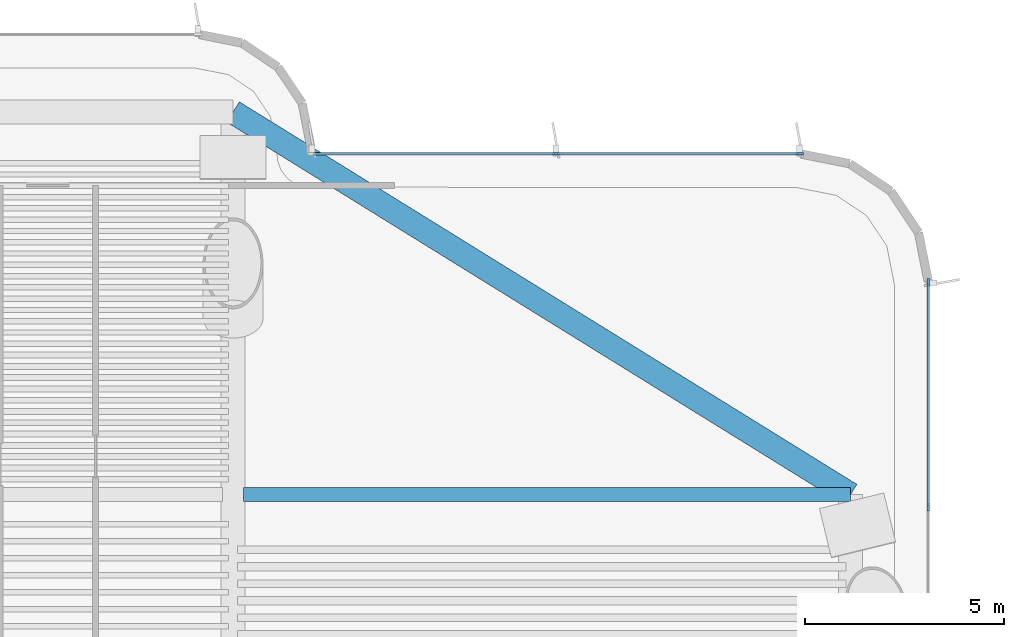
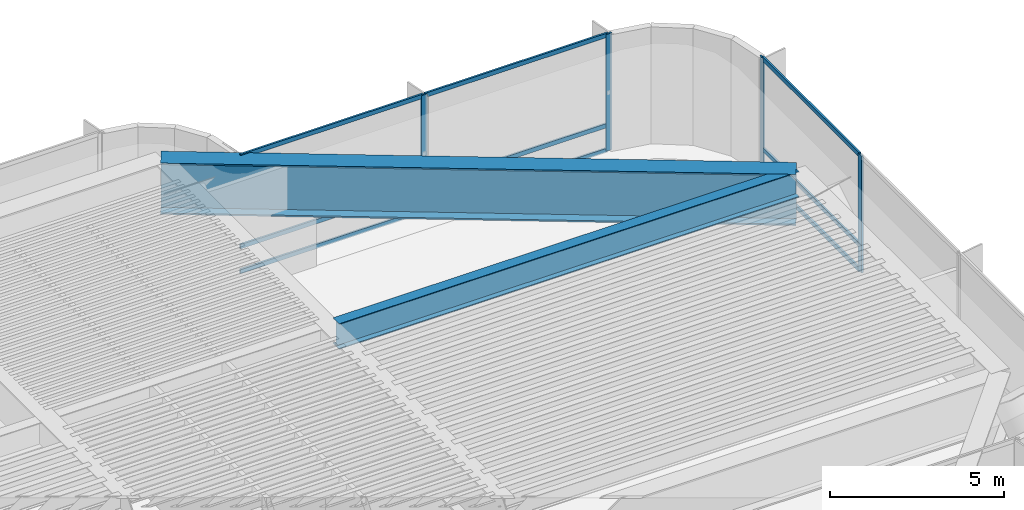
# One storey, part 6 of 14: 13 members, 2 beams, 2 elements without a shape of their own.
"""IFC4 building model written with IfcOpenShell, lengths in metres."""

from ifc_helpers import new_model, si_unit, direction, frame, origin, origin_2d, place, context, subcontext, project, spatial, rectangle, i_section, extrude, source, transform, mapped, material, layer, layer_set, material_profile, profile_set, type_object, element, aggregate, save


model = new_model("IFC4")

# Units and contexts
model_context = context("Model", 3, precision=1e-05, world=origin(), true_north=direction((0.0, 1.0)))
body_context = subcontext(model_context, "Body", "Model", "MODEL_VIEW")
ifc_project = project(units=[si_unit("LENGTHUNIT", "METRE"), si_unit("AREAUNIT", "SQUARE_METRE"), si_unit("VOLUMEUNIT", "CUBIC_METRE"), si_unit("PLANEANGLEUNIT", "RADIAN"), si_unit("MASSUNIT", "GRAM", prefix="KILO")], contexts=[model_context])

# Site, building, storey
site_placement = place(None, origin())
site = spatial("IfcSite", under=ifc_project, at=site_placement, CompositionType="ELEMENT")
building_placement = place(site_placement, origin())
building = spatial("IfcBuilding", under=site, at=building_placement, Name="Brelvock Crest Care Tower", CompositionType="ELEMENT")
storey_placement = place(building_placement, frame((0.0, 0.0, 85.320068359375)))
storey = spatial("IfcBuildingStorey", under=building, at=storey_placement, Name="L21", CompositionType="ELEMENT", Elevation=85.320068359375)

# Beams
ifc_material_1 = material(Name="Steel Grade 350", Category="steel")
ifc_material_profile_1 = material_profile(ifc_material_1, i_section(OverallWidth=0.60009765625, OverallDepth=1.800048828125, WebThickness=0.028076171875, FlangeThickness=0.052001953125, at=origin_2d()), Name="1800TG740")
ifc_profile_set_1 = profile_set([ifc_material_profile_1], Name="Steel Grade 350")
beam_type_1 = type_object("IfcBeamType", Name="BM-TG1", PredefinedType="USERDEFINED", material=ifc_profile_set_1)
shared_shape_1 = source(origin(), body_context, "Body", "SweptSolid", [
    extrude(i_section(OverallWidth=0.60009765625, OverallDepth=1.800048828125, WebThickness=0.028076171875, FlangeThickness=0.052001953125, at=origin_2d()), origin(), (0.0, 0.0, 1.0), 18.23193359375),
])
beam_1_placement = place(storey_placement, frame((40.64990234375, 48.449951171875, 3.19189453125), z_axis=(0.85015183248, -0.526537616635, 0.0), x_axis=(0.526537616635, 0.85015183248, 0.0)))
element("IfcBeam", 1, at=beam_1_placement, inside=storey, type_object=beam_type_1, Name="BM-TWR-L21-07", ObjectType="GIRDER", PredefinedType="USERDEFINED", context=body_context, shape_type="MappedRepresentation", body=[
    mapped(shared_shape_1, transform((0.0, 0.0, 0.0), x_axis=(1.0, 0.0, 0.0), y_axis=(0.0, 1.0, 0.0), z_axis=(0.0, 0.0, 1.0), scale=1.0)),
])
ifc_material_profile_2 = material_profile(ifc_material_1, i_section(OverallWidth=0.35009765625, OverallDepth=0.89990234375, WebThickness=0.01611328125, FlangeThickness=0.028076171875, at=origin_2d()), Name="900WB257")
ifc_profile_set_2 = profile_set([ifc_material_profile_2], Name="Steel Grade 350")
beam_type_2 = type_object("IfcBeamType", Name="BM-G6", PredefinedType="BEAM", material=ifc_profile_set_2)
shared_shape_2 = source(origin(), body_context, "Body", "SweptSolid", [
    extrude(i_section(OverallWidth=0.35009765625, OverallDepth=0.89990234375, WebThickness=0.01611328125, FlangeThickness=0.028076171875, at=origin_2d()), origin(), (0.0, 0.0, 1.0), 15.239990234375),
])
beam_2_placement = place(storey_placement, frame((40.909912109375, 38.85009765625, 3.641845703125), z_axis=(1.0, 0.0, 0.0), x_axis=(0.0, 1.0, 0.0)))
element("IfcBeam", 2, at=beam_2_placement, inside=storey, type_object=beam_type_2, Name="BM-TIE-L21-E", PredefinedType="BEAM", context=body_context, shape_type="MappedRepresentation", body=[
    mapped(shared_shape_2, transform((0.0, 0.0, 0.0), x_axis=(1.0, 0.0, 0.0), y_axis=(0.0, 1.0, 0.0), z_axis=(0.0, 0.0, 1.0), scale=1.0)),
])

# Curtain wall, members
ifc_material_2 = material(Name="Dark Glass Double Glazed Low-E", Category="glass")
ifc_layer = layer(ifc_material_2, 0.2548828125, Name="CWS-6")
ifc_layer_set = layer_set([ifc_layer], Name="Dark Glass Double Glazed Low-E")
curtain_wall_type = type_object("IfcCurtainWallType", Name="CWS-6", PredefinedType="NOTDEFINED", material=ifc_layer_set)
curtain_wall_1_placement = place(storey_placement, origin())
curtain_wall_1 = element("IfcCurtainWall", 3, at=curtain_wall_1_placement, inside=storey, type_object=curtain_wall_type, Name="L21 Curtain Wall E34", PredefinedType="NOTDEFINED")
ifc_material_3 = material(Name="Aluminium 6063-T6", Category="aluminium")
ifc_material_profile_3 = material_profile(ifc_material_3, rectangle(XDim=0.06494140625, YDim=0.199951171875, at=origin_2d()), Name="ALU65x200")
ifc_profile_set_3 = profile_set([ifc_material_profile_3], Name="Aluminium 6063-T6")
member_type_1 = type_object("IfcMemberType", Name="CWM-1", PredefinedType="MULLION", material=ifc_profile_set_3)
shared_shape_3 = source(origin(), body_context, "Body", "SweptSolid", [
    extrude(rectangle(XDim=0.06494140625, YDim=0.199951171875, at=origin_2d()), origin(), (0.0, 0.0, 1.0), 4.092041015625),
])
member_1_placement = place(storey_placement, frame((48.75, 47.39990234375, 0.0), z_axis=(0.0, 0.0, 1.0), x_axis=(0.0, 1.0, 0.0)))
member_1 = element("IfcMember", 4, at=member_1_placement, type_object=member_type_1, Name="CW-6 mullion 2", PredefinedType="MULLION", context=body_context, shape_type="MappedRepresentation", body=[
    mapped(shared_shape_3, transform((0.0, 0.0, 0.0), x_axis=(1.0, 0.0, 0.0), y_axis=(0.0, 1.0, 0.0), z_axis=(0.0, 0.0, 1.0), scale=1.0)),
])
member_2_placement = place(storey_placement, frame((54.867431640625, 47.39990234375, 0.0), z_axis=(0.0, 0.0, 1.0), x_axis=(0.0, 1.0, 0.0)))
member_2 = element("IfcMember", 5, at=member_2_placement, type_object=member_type_1, Name="CW-6 mullion 3", PredefinedType="MULLION", context=body_context, shape_type="MappedRepresentation", body=[
    mapped(shared_shape_3, transform((0.0, 0.0, 0.0), x_axis=(1.0, 0.0, 0.0), y_axis=(0.0, 1.0, 0.0), z_axis=(0.0, 0.0, 1.0), scale=1.0)),
])

curtain_wall_2_placement = place(storey_placement, origin())
curtain_wall_2 = element("IfcCurtainWall", 6, at=curtain_wall_2_placement, inside=storey, type_object=curtain_wall_type, Name="L21 Curtain Wall E39", PredefinedType="NOTDEFINED")
member_3_placement = place(storey_placement, frame((58.10009765625, 44.16748046875, 0.0), z_axis=(0.0, 0.0, 1.0), x_axis=(1.0, 0.0, 0.0)))
member_3 = element("IfcMember", 7, at=member_3_placement, type_object=member_type_1, Name="CW-6 mullion 1", PredefinedType="MULLION", context=body_context, shape_type="MappedRepresentation", body=[
    mapped(shared_shape_3, transform((0.0, 0.0, 0.0), x_axis=(1.0, 0.0, 0.0), y_axis=(0.0, 1.0, 0.0), z_axis=(0.0, 0.0, 1.0), scale=1.0)),
])
member_4_placement = place(storey_placement, frame((58.10009765625, 38.533447265625, 0.0), z_axis=(0.0, 0.0, 1.0), x_axis=(1.0, 0.0, 0.0)))
member_4 = element("IfcMember", 8, at=member_4_placement, type_object=member_type_1, Name="CW-6 mullion 2", PredefinedType="MULLION", context=body_context, shape_type="MappedRepresentation", body=[
    mapped(shared_shape_3, transform((0.0, 0.0, 0.0), x_axis=(1.0, 0.0, 0.0), y_axis=(0.0, 1.0, 0.0), z_axis=(0.0, 0.0, 1.0), scale=1.0)),
])
ifc_material_profile_4 = material_profile(ifc_material_3, rectangle(XDim=0.06494140625, YDim=0.14990234375, at=origin_2d()), Name="ALU65x150")
ifc_profile_set_4 = profile_set([ifc_material_profile_4], Name="Aluminium 6063-T6")
member_type_2 = type_object("IfcMemberType", Name="CWT-1", PredefinedType="USERDEFINED", material=ifc_profile_set_4)
shared_shape_4 = source(origin(), body_context, "Body", "SweptSolid", [
    extrude(rectangle(XDim=0.06494140625, YDim=0.14990234375, at=origin_2d()), origin(), (0.0, 0.0, 1.0), 5.569091796875),
])
member_5_placement = place(storey_placement, frame((58.10009765625, 44.135009765625, 0.032470703125), z_axis=(0.0, -1.0, 0.0), x_axis=(1.0, 0.0, 0.0)))
member_5 = element("IfcMember", 9, at=member_5_placement, type_object=member_type_2, Name="CW-6 transom 1.1", ObjectType="TRANSOM", PredefinedType="USERDEFINED", context=body_context, shape_type="MappedRepresentation", body=[
    mapped(shared_shape_4, transform((0.0, 0.0, 0.0), x_axis=(1.0, 0.0, 0.0), y_axis=(0.0, 1.0, 0.0), z_axis=(0.0, 0.0, 1.0), scale=1.0)),
])
member_6_placement = place(storey_placement, frame((58.10009765625, 44.135009765625, 0.89990234375), z_axis=(0.0, -1.0, 0.0), x_axis=(1.0, 0.0, 0.0)))
member_6 = element("IfcMember", 10, at=member_6_placement, type_object=member_type_2, Name="CW-6 transom 1.2", ObjectType="TRANSOM", PredefinedType="USERDEFINED", context=body_context, shape_type="MappedRepresentation", body=[
    mapped(shared_shape_4, transform((0.0, 0.0, 0.0), x_axis=(1.0, 0.0, 0.0), y_axis=(0.0, 1.0, 0.0), z_axis=(0.0, 0.0, 1.0), scale=1.0)),
])
member_7_placement = place(storey_placement, frame((58.10009765625, 44.135009765625, 4.059326171875), z_axis=(0.0, -1.0, 0.0), x_axis=(1.0, 0.0, 0.0)))
member_7 = element("IfcMember", 11, at=member_7_placement, type_object=member_type_2, Name="CW-6 transom 1.3", ObjectType="TRANSOM", PredefinedType="USERDEFINED", context=body_context, shape_type="MappedRepresentation", body=[
    mapped(shared_shape_4, transform((0.0, 0.0, 0.0), x_axis=(1.0, 0.0, 0.0), y_axis=(0.0, 1.0, 0.0), z_axis=(0.0, 0.0, 1.0), scale=1.0)),
])
aggregate(curtain_wall_2, [member_3, member_4, member_5, member_6, member_7])

# Member
shared_shape_5 = source(origin(), body_context, "Body", "SweptSolid", [
    extrude(rectangle(XDim=0.06494140625, YDim=0.14990234375, at=origin_2d()), origin(), (0.0, 0.0, 1.0), 6.052490234375),
])
member_8_placement = place(storey_placement, frame((42.6650390625, 47.39990234375, 0.032470703125), z_axis=(1.0, 0.0, 0.0), x_axis=(0.0, 1.0, 0.0)))
member_8 = element("IfcMember", 12, at=member_8_placement, type_object=member_type_2, Name="CW-6 transom 1.1", ObjectType="TRANSOM", PredefinedType="USERDEFINED", context=body_context, shape_type="MappedRepresentation", body=[
    mapped(shared_shape_5, transform((0.0, 0.0, 0.0), x_axis=(1.0, 0.0, 0.0), y_axis=(0.0, 1.0, 0.0), z_axis=(0.0, 0.0, 1.0), scale=1.0)),
])

member_9_placement = place(storey_placement, frame((42.6650390625, 47.39990234375, 0.89990234375), z_axis=(1.0, 0.0, 0.0), x_axis=(0.0, 1.0, 0.0)))
member_9 = element("IfcMember", 13, at=member_9_placement, type_object=member_type_2, Name="CW-6 transom 1.2", ObjectType="TRANSOM", PredefinedType="USERDEFINED", context=body_context, shape_type="MappedRepresentation", body=[
    mapped(shared_shape_5, transform((0.0, 0.0, 0.0), x_axis=(1.0, 0.0, 0.0), y_axis=(0.0, 1.0, 0.0), z_axis=(0.0, 0.0, 1.0), scale=1.0)),
])

member_10_placement = place(storey_placement, frame((42.6650390625, 47.39990234375, 4.059326171875), z_axis=(1.0, 0.0, 0.0), x_axis=(0.0, 1.0, 0.0)))
member_10 = element("IfcMember", 14, at=member_10_placement, type_object=member_type_2, Name="CW-6 transom 1.3", ObjectType="TRANSOM", PredefinedType="USERDEFINED", context=body_context, shape_type="MappedRepresentation", body=[
    mapped(shared_shape_5, transform((0.0, 0.0, 0.0), x_axis=(1.0, 0.0, 0.0), y_axis=(0.0, 1.0, 0.0), z_axis=(0.0, 0.0, 1.0), scale=1.0)),
])

member_11_placement = place(storey_placement, frame((48.782470703125, 47.39990234375, 0.032470703125), z_axis=(1.0, 0.0, 0.0), x_axis=(0.0, 1.0, 0.0)))
member_11 = element("IfcMember", 15, at=member_11_placement, type_object=member_type_2, Name="CW-6 transom 2.1", ObjectType="TRANSOM", PredefinedType="USERDEFINED", context=body_context, shape_type="MappedRepresentation", body=[
    mapped(shared_shape_5, transform((0.0, 0.0, 0.0), x_axis=(1.0, 0.0, 0.0), y_axis=(0.0, 1.0, 0.0), z_axis=(0.0, 0.0, 1.0), scale=1.0)),
])

member_12_placement = place(storey_placement, frame((48.782470703125, 47.39990234375, 0.89990234375), z_axis=(1.0, 0.0, 0.0), x_axis=(0.0, 1.0, 0.0)))
member_12 = element("IfcMember", 16, at=member_12_placement, type_object=member_type_2, Name="CW-6 transom 2.2", ObjectType="TRANSOM", PredefinedType="USERDEFINED", context=body_context, shape_type="MappedRepresentation", body=[
    mapped(shared_shape_5, transform((0.0, 0.0, 0.0), x_axis=(1.0, 0.0, 0.0), y_axis=(0.0, 1.0, 0.0), z_axis=(0.0, 0.0, 1.0), scale=1.0)),
])

member_13_placement = place(storey_placement, frame((48.782470703125, 47.39990234375, 4.059326171875), z_axis=(1.0, 0.0, 0.0), x_axis=(0.0, 1.0, 0.0)))
member_13 = element("IfcMember", 17, at=member_13_placement, type_object=member_type_2, Name="CW-6 transom 2.3", ObjectType="TRANSOM", PredefinedType="USERDEFINED", context=body_context, shape_type="MappedRepresentation", body=[
    mapped(shared_shape_5, transform((0.0, 0.0, 0.0), x_axis=(1.0, 0.0, 0.0), y_axis=(0.0, 1.0, 0.0), z_axis=(0.0, 0.0, 1.0), scale=1.0)),
])

aggregate(curtain_wall_1, [member_1, member_2, member_8, member_9, member_10, member_11, member_12, member_13])

save(model, "model.ifc")
